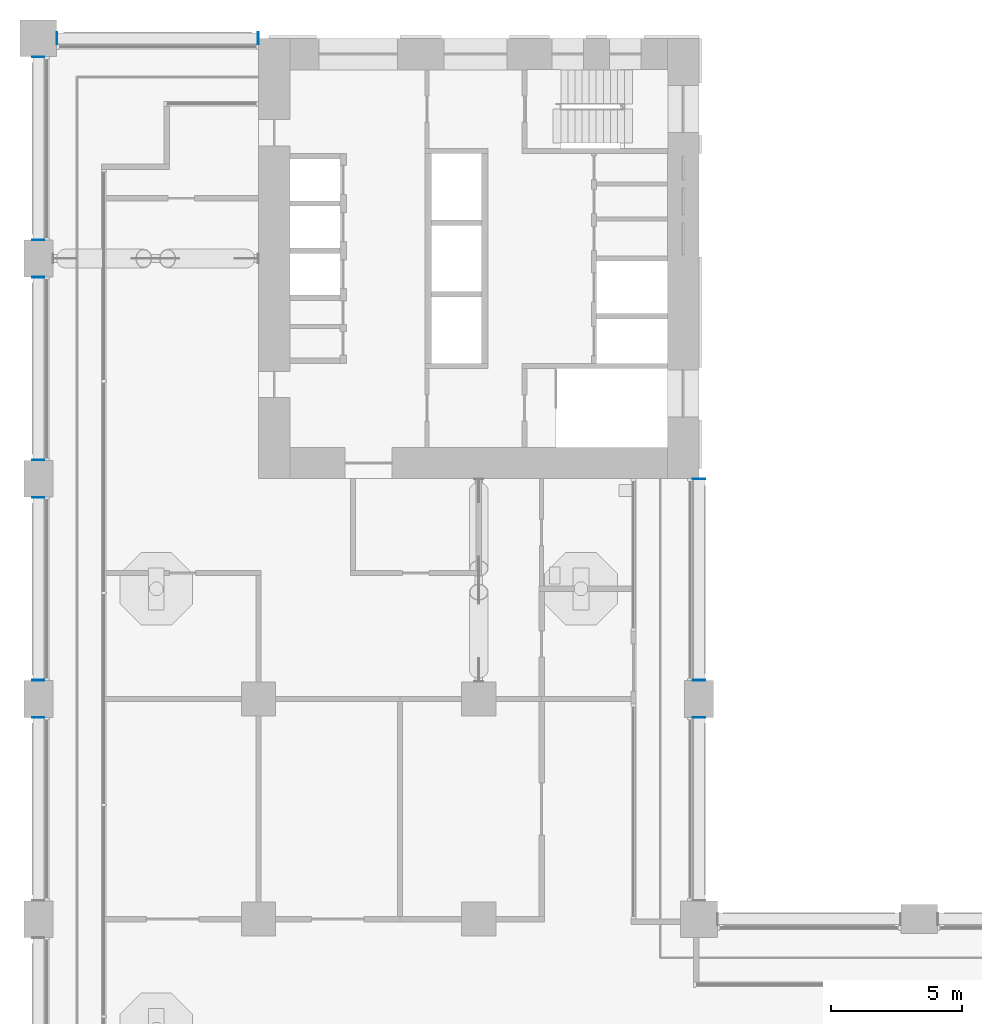
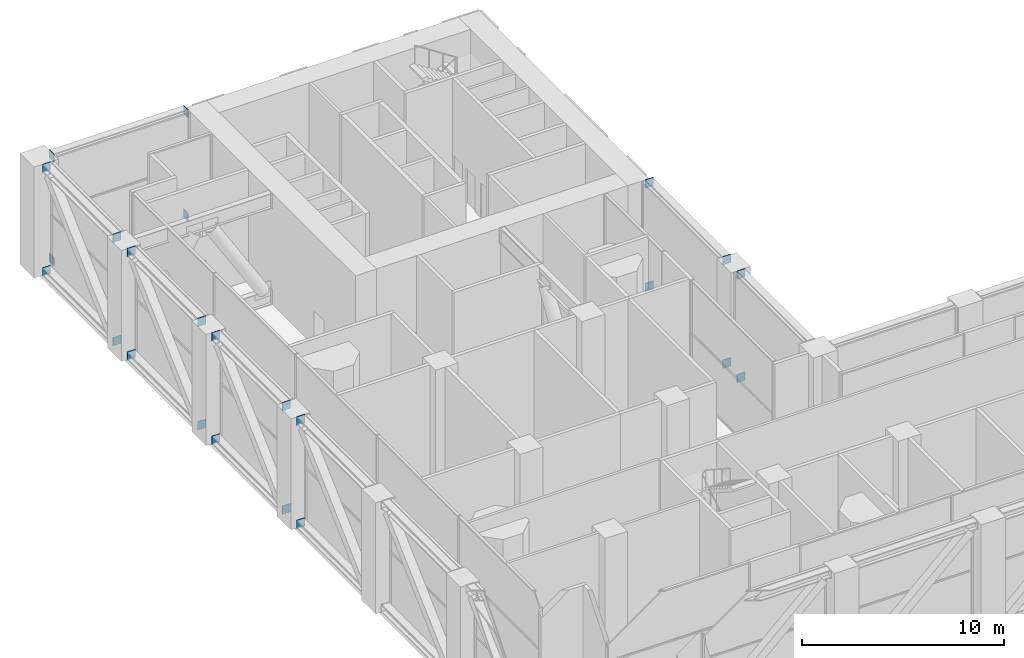
# One storey, part 21 of 28: 24 discrete accessories.
"""IFC4 building model written with IfcOpenShell, lengths in metres."""

from ifc_helpers import new_model, si_unit, direction, frame, origin, origin_2d, place, context, subcontext, project, spatial, rectangle, extrude, element, save


model = new_model("IFC4")

# Units and contexts
model_context = context("Model", 3, precision=1e-05, world=origin(), true_north=direction((0.0, 1.0)))
body_context = subcontext(model_context, "Body", "Model", "MODEL_VIEW")
ifc_project = project(units=[si_unit("LENGTHUNIT", "METRE"), si_unit("AREAUNIT", "SQUARE_METRE"), si_unit("VOLUMEUNIT", "CUBIC_METRE"), si_unit("PLANEANGLEUNIT", "RADIAN"), si_unit("MASSUNIT", "GRAM", prefix="KILO")], contexts=[model_context])

# Site, building, storey
site_placement = place(None, origin())
site = spatial("IfcSite", under=ifc_project, at=site_placement, CompositionType="ELEMENT")
building_placement = place(site_placement, origin())
building = spatial("IfcBuilding", under=site, at=building_placement, Name="Vermilion Gate Residences", CompositionType="ELEMENT")
storey_placement = place(building_placement, frame((0.0, 0.0, 74.199951171875)))
storey = spatial("IfcBuildingStorey", under=building, at=storey_placement, Name="L18", CompositionType="ELEMENT", Elevation=74.199951171875)

# Discrete accessories
for number, where, z_axis, x_axis, name in (
    (1, (0.0, 32.887451171875, -0.02490234375), (0.0, 0.0, 1.0), (1.0, 0.0, 0.0), "End plate B18BELT4B 2"),
    (2, (0.0, 32.887451171875, 6.23681640625), (0.0, 0.0, 1.0), (1.0, 0.0, 0.0), "End plate B18BELT4T 2"),
    (3, (0.0, 34.3125, -0.02490234375), (0.0, 0.0, 1.0), (1.0, 0.0, 0.0), "End plate B18BELT5B 1"),
    (4, (0.0, 41.28759765625, -0.02490234375), (0.0, 0.0, 1.0), (1.0, 0.0, 0.0), "End plate B18BELT5B 2"),
    (5, (0.0, 34.3125, 6.23681640625), (0.0, 0.0, 1.0), (1.0, 0.0, 0.0), "End plate B18BELT5T 1"),
    (6, (0.0, 41.28759765625, 6.23681640625), (0.0, 0.0, 1.0), (1.0, 0.0, 0.0), "End plate B18BELT5T 2"),
    (7, (0.0, 42.71240234375, -0.02490234375), (0.0, 0.0, 1.0), (1.0, 0.0, 0.0), "End plate B18BELT6B 1"),
    (8, (0.0, 49.6875, -0.02490234375), (0.0, 0.0, 1.0), (1.0, 0.0, 0.0), "End plate B18BELT6B 2"),
    (9, (0.0, 42.71240234375, 6.23681640625), (0.0, 0.0, 1.0), (1.0, 0.0, 0.0), "End plate B18BELT6T 1"),
    (10, (0.0, 49.6875, 6.23681640625), (0.0, 0.0, 1.0), (1.0, 0.0, 0.0), "End plate B18BELT6T 2"),
):
    element("IfcDiscreteAccessory", number, at=place(storey_placement, frame(where, z_axis=z_axis, x_axis=x_axis)), inside=storey, Name=name, ObjectType="END PLATE", PredefinedType="USERDEFINED", context=body_context, shape_type="SweptSolid", body=[
        extrude(rectangle(XDim=0.467041015625, YDim=0.02490234375, at=origin_2d()), origin(), (0.0, 0.0, 1.0), 0.508056640625),
    ])
for number, where, z_axis, x_axis, name in (
    (11, (0.71240234375, 58.800048828125, -0.02490234375), (0.0, 0.0, 1.0), (1.0, 0.0, 0.0), "End plate B18BELT7B 1"),
    (12, (8.387451171875, 58.800048828125, -0.02490234375), (0.0, 0.0, 1.0), (1.0, 0.0, 0.0), "End plate B18BELT7B 2"),
    (13, (0.71240234375, 58.800048828125, 6.23681640625), (0.0, 0.0, 1.0), (1.0, 0.0, 0.0), "End plate B18BELT7T 1"),
    (14, (8.387451171875, 58.800048828125, 6.23681640625), (0.0, 0.0, 1.0), (1.0, 0.0, 0.0), "End plate B18BELT7T 2"),
):
    element("IfcDiscreteAccessory", number, at=place(storey_placement, frame(where, z_axis=z_axis, x_axis=x_axis)), inside=storey, Name=name, ObjectType="END PLATE", PredefinedType="USERDEFINED", context=body_context, shape_type="SweptSolid", body=[
        extrude(rectangle(XDim=0.02490234375, YDim=0.467041015625, at=origin_2d()), origin(), (0.0, 0.0, 1.0), 0.508056640625),
    ])
for number, where, z_axis, x_axis, name in (
    (15, (0.0, 51.112548828125, -0.02490234375), (0.0, 0.0, 1.0), (1.0, 0.0, 0.0), "End plate B18BELT8B 1"),
    (16, (0.0, 58.08740234375, -0.02490234375), (0.0, 0.0, 1.0), (1.0, 0.0, 0.0), "End plate B18BELT8B 2"),
    (17, (0.0, 51.112548828125, 6.23681640625), (0.0, 0.0, 1.0), (1.0, 0.0, 0.0), "End plate B18BELT8T 1"),
    (18, (0.0, 58.08740234375, 6.23681640625), (0.0, 0.0, 1.0), (1.0, 0.0, 0.0), "End plate B18BELT8T 2"),
    (19, (25.199951171875, 32.887451171875, -0.02490234375), (0.0, 0.0, 1.0), (1.0, 0.0, 0.0), "End plate B18BELT11B 2"),
    (20, (25.199951171875, 32.887451171875, 6.23681640625), (0.0, 0.0, 1.0), (1.0, 0.0, 0.0), "End plate B18BELT11T 2"),
    (21, (25.199951171875, 34.3125, -0.02490234375), (0.0, 0.0, 1.0), (1.0, 0.0, 0.0), "End plate B18BELT12B 1"),
    (22, (25.199951171875, 41.987548828125, -0.02490234375), (0.0, 0.0, 1.0), (1.0, 0.0, 0.0), "End plate B18BELT12B 2"),
    (23, (25.199951171875, 34.3125, 6.23681640625), (0.0, 0.0, 1.0), (1.0, 0.0, 0.0), "End plate B18BELT12T 1"),
    (24, (25.199951171875, 41.987548828125, 6.23681640625), (0.0, 0.0, 1.0), (1.0, 0.0, 0.0), "End plate B18BELT12T 2"),
):
    element("IfcDiscreteAccessory", number, at=place(storey_placement, frame(where, z_axis=z_axis, x_axis=x_axis)), inside=storey, Name=name, ObjectType="END PLATE", PredefinedType="USERDEFINED", context=body_context, shape_type="SweptSolid", body=[
        extrude(rectangle(XDim=0.467041015625, YDim=0.02490234375, at=origin_2d()), origin(), (0.0, 0.0, 1.0), 0.508056640625),
    ])

save(model, "model.ifc")
